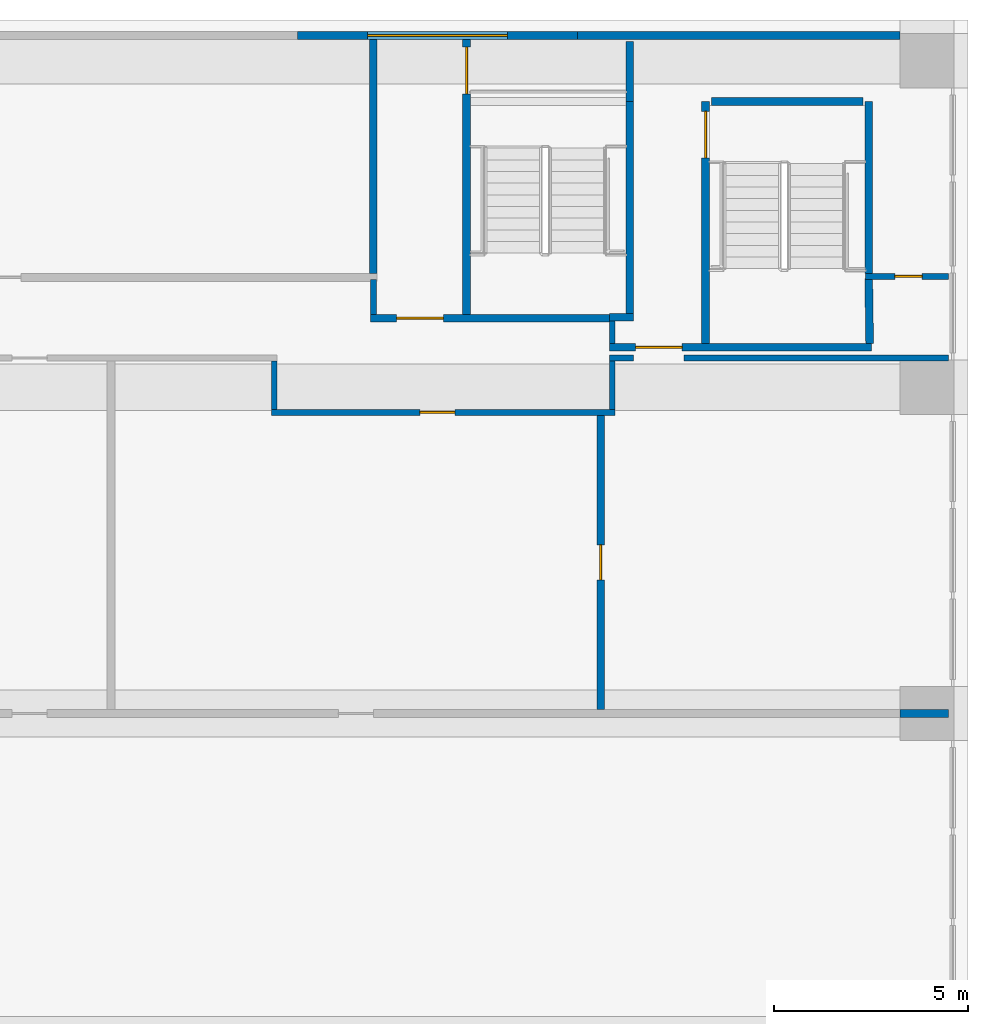
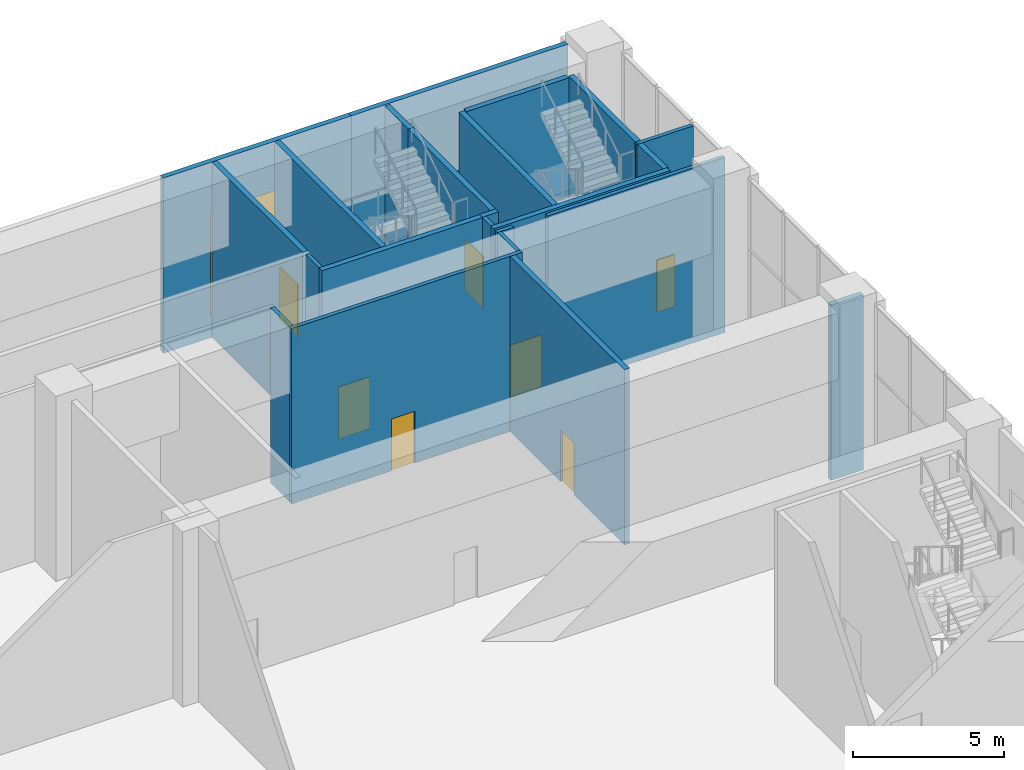
# One storey, part 14 of 29: 23 walls, 7 doors, 1 window, 8 openings.
"""IFC4 building model written with IfcOpenShell, lengths in metres."""

from ifc_helpers import new_model, si_unit, direction, frame, frame_2d, origin, place, context, subcontext, project, spatial, rectangle, extrude, material, layer, layer_set, type_object, element, fill, save


model = new_model("IFC4")

# Units and contexts
model_context = context("Model", 3, precision=1e-05, world=origin(), true_north=direction((0.0, 1.0)))
body_context = subcontext(model_context, "Body", "Model", "MODEL_VIEW")
ifc_project = project(units=[si_unit("LENGTHUNIT", "METRE"), si_unit("AREAUNIT", "SQUARE_METRE"), si_unit("VOLUMEUNIT", "CUBIC_METRE"), si_unit("PLANEANGLEUNIT", "RADIAN"), si_unit("MASSUNIT", "GRAM", prefix="KILO")], contexts=[model_context])

# Site, building, storey
site_placement = place(None, origin())
site = spatial("IfcSite", under=ifc_project, at=site_placement, CompositionType="ELEMENT")
building_placement = place(site_placement, origin())
building = spatial("IfcBuilding", under=site, at=building_placement, Name="Vermilion Ogive Tower", CompositionType="ELEMENT")
storey_placement = place(building_placement, frame((0.0, 0.0, 12.5)))
storey = spatial("IfcBuildingStorey", under=building, at=storey_placement, Name="L02", CompositionType="ELEMENT", Elevation=12.5)

# Wall, opening, door
ifc_material_1 = material(Name="Gypsum board partition on steel studs", Category="steel")
ifc_layer_1 = layer(ifc_material_1, 0.14990234375)
ifc_layer_set_1 = layer_set([ifc_layer_1], Name="Partition 150 corridor")
wall_type_1 = type_object("IfcWallType", Name="Partition 150 corridor", PredefinedType="PARTITIONING", material=ifc_layer_set_1)
wall_1_placement = place(storey_placement, frame((33.52490234375, 20.35009765625, 0.0), z_axis=(0.0, 0.0, 1.0), x_axis=(1.0, 0.0, 0.0)))
wall_1 = element("IfcWall", 1, at=wall_1_placement, inside=storey, type_object=wall_type_1, Name="L02-FS-W-W028", PredefinedType="PARTITIONING", context=body_context, shape_type="SweptSolid", body=[
    extrude(rectangle(XDim=8.85009765625, YDim=0.14990234375, at=frame_2d((4.425048828125, 0.0))), origin(), (0.0, 0.0, 1.0), 7.10009765625),
])
opening_1_placement = place(wall_1_placement, frame((3.8251953125, 0.0, 0.0)))
opening_1 = element("IfcOpeningElement", 2, at=opening_1_placement, cuts=wall_1, Name="Opening L02S034", PredefinedType="OPENING", context=body_context, shape_type="SweptSolid", body=[
    extrude(rectangle(XDim=0.89990234375, YDim=2.10009765625, at=frame_2d((0.449951171875, 1.050048828125))), frame((0.0, 0.0849609375, 0.0), z_axis=(0.0, -1.0, 0.0), x_axis=(1.0, 0.0, 0.0)), (0.0, 0.0, 1.0), 0.169921875),
])
ifc_material_2 = material(Name="Timber door leaf", Category="wood")
door_type_1 = type_object("IfcDoorType", Name="Room door 900 x 2100 FD30", OperationType="SINGLE_SWING_LEFT", PredefinedType="DOOR", material=ifc_material_2)
door_1_placement = place(opening_1_placement, origin())
door_1 = element("IfcDoor", 3, at=door_1_placement, inside=storey, type_object=door_type_1, Name="L02-FS-D-D034", OperationType="SINGLE_SWING_RIGHT", OverallHeight=2.10009765625, OverallWidth=0.89990234375, PredefinedType="DOOR", context=body_context, shape_type="SweptSolid", body=[
    extrude(rectangle(XDim=0.89990234375, YDim=2.10009765625, at=frame_2d((0.449951171875, 1.050048828125))), frame((0.0, 0.02490234375, 0.0), z_axis=(0.0, -1.0, 0.0), x_axis=(1.0, 0.0, 0.0)), (0.0, 0.0, 1.0), 0.050048828125),
])
fill(opening_1, door_1)

# Wall
wall_2_placement = place(storey_placement, frame((42.22509765625, 21.75, 0.0), z_axis=(0.0, 0.0, 1.0), x_axis=(1.0, 0.0, 0.0)))
element("IfcWall", 4, at=wall_2_placement, inside=storey, type_object=wall_type_1, Name="L02-FS-W-W031", PredefinedType="PARTITIONING", context=body_context, shape_type="SweptSolid", body=[
    extrude(rectangle(XDim=0.624755859375, YDim=0.14990234375, at=frame_2d((0.3125, 0.0))), origin(), (0.0, 0.0, 1.0), 7.10009765625),
])

# Wall, opening, door
wall_3_placement = place(storey_placement, frame((48.8125, 23.85009765625, 0.0), z_axis=(0.0, 0.0, 1.0), x_axis=(1.0, 0.0, 0.0)))
wall_3 = element("IfcWall", 5, at=wall_3_placement, inside=storey, type_object=wall_type_1, Name="L02-FS-W-W038", PredefinedType="PARTITIONING", context=body_context, shape_type="SweptSolid", body=[
    extrude(rectangle(XDim=2.137451171875, YDim=0.14990234375, at=frame_2d((1.06884765625, 0.0))), origin(), (0.0, 0.0, 1.0), 7.10009765625),
])
opening_2_placement = place(wall_3_placement, frame((0.762451171875, 0.0, 0.0)))
opening_2 = element("IfcOpeningElement", 6, at=opening_2_placement, cuts=wall_3, Name="Opening L02S051", PredefinedType="OPENING", context=body_context, shape_type="SweptSolid", body=[
    extrude(rectangle(XDim=0.699951171875, YDim=2.10009765625, at=frame_2d((0.35009765625, 1.050048828125))), frame((0.0, 0.0849609375, 0.0), z_axis=(0.0, -1.0, 0.0), x_axis=(1.0, 0.0, 0.0)), (0.0, 0.0, 1.0), 0.169921875),
])
ifc_material_3 = material(Name="Timber door leaf", Category="wood")
door_type_2 = type_object("IfcDoorType", Name="Room door 700 x 2100 FD30", OperationType="SINGLE_SWING_LEFT", PredefinedType="DOOR", material=ifc_material_3)
door_2_placement = place(opening_2_placement, origin())
door_2 = element("IfcDoor", 7, at=door_2_placement, inside=storey, type_object=door_type_2, Name="L02-FS-D-D051", OperationType="SINGLE_SWING_RIGHT", OverallHeight=2.10009765625, OverallWidth=0.699951171875, PredefinedType="DOOR", context=body_context, shape_type="SweptSolid", body=[
    extrude(rectangle(XDim=0.699951171875, YDim=2.10009765625, at=frame_2d((0.35009765625, 1.050048828125))), frame((0.0, 0.02490234375, 0.0), z_axis=(0.0, -1.0, 0.0), x_axis=(1.0, 0.0, 0.0)), (0.0, 0.0, 1.0), 0.050048828125),
])
fill(opening_2, door_2)

# Walls
wall_4_placement = place(storey_placement, frame((33.60009765625, 20.425048828125, 0.0), z_axis=(0.0, 0.0, 1.0), x_axis=(0.0, 1.0, 0.0)))
element("IfcWall", 8, at=wall_4_placement, inside=storey, type_object=wall_type_1, Name="L02-FS-W-W078", PredefinedType="PARTITIONING", context=body_context, shape_type="SweptSolid", body=[
    extrude(rectangle(XDim=1.25, YDim=0.14990234375, at=frame_2d((0.625, 0.0))), origin(), (0.0, 0.0, 1.0), 7.10009765625),
])
wall_5_placement = place(storey_placement, frame((36.14990234375, 22.875, 0.0), z_axis=(0.0, 0.0, 1.0), x_axis=(0.0, 1.0, 0.0)))
element("IfcWall", 9, at=wall_5_placement, inside=storey, type_object=wall_type_1, Name="L02-FS-W-W081", PredefinedType="PARTITIONING", context=body_context, shape_type="SweptSolid", body=[
    extrude(rectangle(XDim=0.89990234375, YDim=0.14990234375, at=frame_2d((0.449951171875, 0.0))), origin(), (0.0, 0.0, 1.0), 7.10009765625),
])
wall_6_placement = place(storey_placement, frame((42.300048828125, 20.425048828125, 0.0), z_axis=(0.0, 0.0, 1.0), x_axis=(0.0, 1.0, 0.0)))
element("IfcWall", 10, at=wall_6_placement, inside=storey, type_object=wall_type_1, Name="L02-FS-W-W089", PredefinedType="PARTITIONING", context=body_context, shape_type="SweptSolid", body=[
    extrude(rectangle(XDim=1.25, YDim=0.14990234375, at=frame_2d((0.625, 0.0))), origin(), (0.0, 0.0, 1.0), 7.10009765625),
])
wall_7_placement = place(storey_placement, frame((42.300048828125, 22.125, 0.0), z_axis=(0.0, 0.0, 1.0), x_axis=(0.0, 1.0, 0.0)))
element("IfcWall", 11, at=wall_7_placement, inside=storey, type_object=wall_type_1, Name="L02-FS-W-W090", PredefinedType="PARTITIONING", context=body_context, shape_type="SweptSolid", body=[
    extrude(rectangle(XDim=0.574951171875, YDim=0.14990234375, at=frame_2d((0.28759765625, 0.0))), origin(), (0.0, 0.0, 1.0), 7.10009765625),
])
wall_8_placement = place(storey_placement, frame((44.14990234375, 21.75, 0.0), z_axis=(0.0, 0.0, 1.0), x_axis=(1.0, 0.0, 0.0)))
element("IfcWall", 12, at=wall_8_placement, inside=storey, type_object=wall_type_1, Name="L02-FS-W-W031-DO", PredefinedType="PARTITIONING", context=body_context, shape_type="SweptSolid", body=[
    extrude(rectangle(XDim=6.800048828125, YDim=0.14990234375, at=frame_2d((3.39990234375, 0.0))), origin(), (0.0, 0.0, 1.0), 7.10009765625),
])
ifc_material_4 = material(Name="Gypsum board partition on steel studs", Category="steel")
ifc_layer_2 = layer(ifc_material_4, 0.199951171875)
ifc_layer_set_2 = layer_set([ifc_layer_2], Name="Partition 200 party")
wall_type_2 = type_object("IfcWallType", Name="Partition 200 party", PredefinedType="PARTITIONING", material=ifc_layer_set_2)
wall_9_placement = place(storey_placement, frame((36.14990234375, 23.925048828125, 0.0), z_axis=(0.0, 0.0, 1.0), x_axis=(0.0, 1.0, 0.0)))
element("IfcWall", 13, at=wall_9_placement, inside=storey, type_object=wall_type_2, Name="L02-FS-W-W082", PredefinedType="PARTITIONING", context=body_context, shape_type="SweptSolid", body=[
    extrude(rectangle(XDim=6.02490234375, YDim=0.199951171875, at=frame_2d((3.012451171875, 0.0))), origin(), (0.0, 0.0, 1.0), 7.10009765625),
])

# Wall, opening, door
wall_10_placement = place(storey_placement, frame((42.0, 12.699951171875, 0.0), z_axis=(0.0, 0.0, 1.0), x_axis=(0.0, 1.0, 0.0)))
wall_10 = element("IfcWall", 14, at=wall_10_placement, inside=storey, type_object=wall_type_2, Name="L02-FS-W-W086", PredefinedType="PARTITIONING", context=body_context, shape_type="SweptSolid", body=[
    extrude(rectangle(XDim=7.574951171875, YDim=0.199951171875, at=frame_2d((3.78759765625, 0.0))), origin(), (0.0, 0.0, 1.0), 7.10009765625),
])
opening_3_placement = place(wall_10_placement, frame((3.33740234375, 0.0, 0.0)))
opening_3 = element("IfcOpeningElement", 15, at=opening_3_placement, cuts=wall_10, Name="Opening L02S035", PredefinedType="OPENING", context=body_context, shape_type="SweptSolid", body=[
    extrude(rectangle(XDim=0.89990234375, YDim=2.10009765625, at=frame_2d((0.449951171875, 1.050048828125))), frame((0.0, 0.10986328125, 0.0), z_axis=(0.0, -1.0, 0.0), x_axis=(1.0, 0.0, 0.0)), (0.0, 0.0, 1.0), 0.219970703125),
])
door_3_placement = place(opening_3_placement, origin())
door_3 = element("IfcDoor", 16, at=door_3_placement, inside=storey, type_object=door_type_1, Name="L02-FS-D-D035", OperationType="SINGLE_SWING_RIGHT", OverallHeight=2.10009765625, OverallWidth=0.89990234375, PredefinedType="DOOR", context=body_context, shape_type="SweptSolid", body=[
    extrude(rectangle(XDim=0.89990234375, YDim=2.10009765625, at=frame_2d((0.449951171875, 1.050048828125))), frame((0.0, 0.02490234375, 0.0), z_axis=(0.0, -1.0, 0.0), x_axis=(1.0, 0.0, 0.0)), (0.0, 0.0, 1.0), 0.050048828125),
])
fill(opening_3, door_3)

# Wall
wall_11_placement = place(storey_placement, frame((49.699951171875, 12.60009765625, 0.0), z_axis=(0.0, 0.0, 1.0), x_axis=(1.0, 0.0, 0.0)))
element("IfcWall", 17, at=wall_11_placement, inside=storey, type_object=wall_type_2, Name="L02-FS-W-W026-h2", PredefinedType="PARTITIONING", context=body_context, shape_type="SweptSolid", body=[
    extrude(rectangle(XDim=1.25, YDim=0.199951171875, at=frame_2d((0.625, 0.0))), origin(), (0.0, 0.0, 1.0), 7.10009765625),
])

# Wall, opening, door
ifc_material_5 = material(Name="Concrete B60", Category="concrete")
ifc_layer_3 = layer(ifc_material_5, 0.199951171875)
ifc_layer_set_3 = layer_set([ifc_layer_3], Name="Stair shaft wall 200 Concrete B60")
wall_type_3 = type_object("IfcWallType", Name="Stair shaft wall 200 Concrete B60", PredefinedType="SOLIDWALL", material=ifc_layer_set_3)
wall_12_placement = place(storey_placement, frame((42.22509765625, 22.025146484375, 0.0), z_axis=(0.0, 0.0, 1.0), x_axis=(1.0, 0.0, 0.0)))
wall_12 = element("IfcWall", 18, at=wall_12_placement, inside=storey, type_object=wall_type_3, Name="L02-FS-W-W032", PredefinedType="SOLIDWALL", context=body_context, shape_type="SweptSolid", body=[
    extrude(rectangle(XDim=6.75, YDim=0.199951171875, at=frame_2d((3.375, 0.0))), origin(), (0.0, 0.0, 1.0), 7.10009765625),
])
opening_4_placement = place(wall_12_placement, frame((0.6748046875, 0.0, 0.0)))
opening_4 = element("IfcOpeningElement", 19, at=opening_4_placement, cuts=wall_12, Name="Opening L02S016", PredefinedType="OPENING", context=body_context, shape_type="SweptSolid", body=[
    extrude(rectangle(XDim=1.199951171875, YDim=2.10009765625, at=frame_2d((0.60009765625, 1.050048828125))), frame((0.0, 0.10986328125, 0.0), z_axis=(0.0, -1.0, 0.0), x_axis=(1.0, 0.0, 0.0)), (0.0, 0.0, 1.0), 0.219970703125),
])
ifc_material_6 = material(Name="Timber door leaf", Category="wood")
door_type_3 = type_object("IfcDoorType", Name="Stair door 1200 x 2100 FD60S", OperationType="SINGLE_SWING_LEFT", PredefinedType="DOOR", material=ifc_material_6)
door_4_placement = place(opening_4_placement, origin())
door_4 = element("IfcDoor", 20, at=door_4_placement, inside=storey, type_object=door_type_3, Name="L02-FS-D-D016", OperationType="SINGLE_SWING_LEFT", OverallHeight=2.10009765625, OverallWidth=1.199951171875, PredefinedType="DOOR", context=body_context, shape_type="SweptSolid", body=[
    extrude(rectangle(XDim=1.199951171875, YDim=2.10009765625, at=frame_2d((0.60009765625, 1.050048828125))), frame((0.0, 0.02490234375, 0.0), z_axis=(0.0, -1.0, 0.0), x_axis=(1.0, 0.0, 0.0)), (0.0, 0.0, 1.0), 0.050048828125),
])
fill(opening_4, door_4)

wall_13_placement = place(storey_placement, frame((36.074951171875, 22.775146484375, 0.0), z_axis=(0.0, 0.0, 1.0), x_axis=(1.0, 0.0, 0.0)))
wall_13 = element("IfcWall", 21, at=wall_13_placement, inside=storey, type_object=wall_type_3, Name="L02-FS-W-W033", PredefinedType="SOLIDWALL", context=body_context, shape_type="SweptSolid", body=[
    extrude(rectangle(XDim=6.300048828125, YDim=0.199951171875, at=frame_2d((3.14990234375, 0.0))), origin(), (0.0, 0.0, 1.0), 7.10009765625),
])
opening_5_placement = place(wall_13_placement, frame((0.675048828125, 0.0, 0.0)))
opening_5 = element("IfcOpeningElement", 22, at=opening_5_placement, cuts=wall_13, Name="Opening L02S011", PredefinedType="OPENING", context=body_context, shape_type="SweptSolid", body=[
    extrude(rectangle(XDim=1.199951171875, YDim=2.10009765625, at=frame_2d((0.60009765625, 1.050048828125))), frame((0.0, 0.10986328125, 0.0), z_axis=(0.0, -1.0, 0.0), x_axis=(1.0, 0.0, 0.0)), (0.0, 0.0, 1.0), 0.219970703125),
])
door_5_placement = place(opening_5_placement, origin())
door_5 = element("IfcDoor", 23, at=door_5_placement, inside=storey, type_object=door_type_3, Name="L02-FS-D-D011", OperationType="SINGLE_SWING_LEFT", OverallHeight=2.10009765625, OverallWidth=1.199951171875, PredefinedType="DOOR", context=body_context, shape_type="SweptSolid", body=[
    extrude(rectangle(XDim=1.199951171875, YDim=2.10009765625, at=frame_2d((0.60009765625, 1.050048828125))), frame((0.0, 0.02490234375, 0.0), z_axis=(0.0, -1.0, 0.0), x_axis=(1.0, 0.0, 0.0)), (0.0, 0.0, 1.0), 0.050048828125),
])
fill(opening_5, door_5)

# Wall
wall_14_placement = place(storey_placement, frame((42.22509765625, 22.800048828125, 0.0), z_axis=(0.0, 0.0, 1.0), x_axis=(1.0, 0.0, 0.0)))
element("IfcWall", 24, at=wall_14_placement, inside=storey, type_object=wall_type_3, Name="L02-FS-W-W034", PredefinedType="SOLIDWALL", context=body_context, shape_type="SweptSolid", body=[
    extrude(rectangle(XDim=0.625, YDim=0.199951171875, at=frame_2d((0.3125, 0.0))), origin(), (0.0, 0.0, 1.0), 7.10009765625),
])

# Wall, opening, door
wall_15_placement = place(storey_placement, frame((38.550048828125, 22.875, 0.0), z_axis=(0.0, 0.0, 1.0), x_axis=(0.0, 1.0, 0.0)))
wall_15 = element("IfcWall", 25, at=wall_15_placement, inside=storey, type_object=wall_type_3, Name="L02-FS-W-W084", PredefinedType="SOLIDWALL", context=body_context, shape_type="SweptSolid", body=[
    extrude(rectangle(XDim=7.074951171875, YDim=0.199951171875, at=frame_2d((3.53759765625, 0.0))), origin(), (0.0, 0.0, 1.0), 7.10009765625),
])
opening_6_placement = place(wall_15_placement, frame((5.675048828125, 0.0, 0.0)))
opening_6 = element("IfcOpeningElement", 26, at=opening_6_placement, cuts=wall_15, Name="Opening L02S002", PredefinedType="OPENING", context=body_context, shape_type="SweptSolid", body=[
    extrude(rectangle(XDim=1.199951171875, YDim=2.10009765625, at=frame_2d((0.60009765625, 1.050048828125))), frame((0.0, 0.10986328125, 0.0), z_axis=(0.0, -1.0, 0.0), x_axis=(1.0, 0.0, 0.0)), (0.0, 0.0, 1.0), 0.219970703125),
])
door_6_placement = place(opening_6_placement, origin())
door_6 = element("IfcDoor", 27, at=door_6_placement, inside=storey, type_object=door_type_3, Name="L02-FS-D-D002", OperationType="DOUBLE_DOOR_SINGLE_SWING", OverallHeight=2.10009765625, OverallWidth=1.199951171875, PredefinedType="DOOR", context=body_context, shape_type="SweptSolid", body=[
    extrude(rectangle(XDim=1.199951171875, YDim=2.10009765625, at=frame_2d((0.60009765625, 1.050048828125))), frame((0.0, 0.02490234375, 0.0), z_axis=(0.0, -1.0, 0.0), x_axis=(1.0, 0.0, 0.0)), (0.0, 0.0, 1.0), 0.050048828125),
])
fill(opening_6, door_6)

# Wall
wall_16_placement = place(storey_placement, frame((42.75, 22.89990234375, 0.0), z_axis=(0.0, 0.0, 1.0), x_axis=(0.0, 1.0, 0.0)))
element("IfcWall", 28, at=wall_16_placement, inside=storey, type_object=wall_type_3, Name="L02-FS-W-W093", PredefinedType="SOLIDWALL", context=body_context, shape_type="SweptSolid", body=[
    extrude(rectangle(XDim=5.4501953125, YDim=0.199951171875, at=frame_2d((2.72509765625, 0.0))), origin(), (0.0, 0.0, 1.0), 7.10009765625),
])

# Wall, opening, door
wall_17_placement = place(storey_placement, frame((44.699951171875, 22.125, 0.0), z_axis=(0.0, 0.0, 1.0), x_axis=(0.0, 1.0, 0.0)))
wall_17 = element("IfcWall", 29, at=wall_17_placement, inside=storey, type_object=wall_type_3, Name="L02-FS-W-W097", PredefinedType="SOLIDWALL", context=body_context, shape_type="SweptSolid", body=[
    extrude(rectangle(XDim=6.22509765625, YDim=0.199951171875, at=frame_2d((3.112548828125, 0.0))), origin(), (0.0, 0.0, 1.0), 7.10009765625),
])
opening_7_placement = place(wall_17_placement, frame((4.77490234375, 0.0, 0.0)))
opening_7 = element("IfcOpeningElement", 30, at=opening_7_placement, cuts=wall_17, Name="Opening L02S007", PredefinedType="OPENING", context=body_context, shape_type="SweptSolid", body=[
    extrude(rectangle(XDim=1.199951171875, YDim=2.10009765625, at=frame_2d((0.60009765625, 1.050048828125))), frame((0.0, 0.10986328125, 0.0), z_axis=(0.0, -1.0, 0.0), x_axis=(1.0, 0.0, 0.0)), (0.0, 0.0, 1.0), 0.219970703125),
])
door_7_placement = place(opening_7_placement, origin())
door_7 = element("IfcDoor", 31, at=door_7_placement, inside=storey, type_object=door_type_3, Name="L02-FS-D-D007", OperationType="DOUBLE_DOOR_SINGLE_SWING", OverallHeight=2.10009765625, OverallWidth=1.199951171875, PredefinedType="DOOR", context=body_context, shape_type="SweptSolid", body=[
    extrude(rectangle(XDim=1.199951171875, YDim=2.10009765625, at=frame_2d((0.60009765625, 1.050048828125))), frame((0.0, 0.02490234375, 0.0), z_axis=(0.0, -1.0, 0.0), x_axis=(1.0, 0.0, 0.0)), (0.0, 0.0, 1.0), 0.050048828125),
])
fill(opening_7, door_7)

# Walls
wall_18_placement = place(storey_placement, frame((48.9248046875, 22.125, 0.0), z_axis=(0.0, 0.0, 1.0), x_axis=(-0.014867161329, 0.999889477649, 0.0)))
element("IfcWall", 32, at=wall_18_placement, inside=storey, type_object=wall_type_3, Name="L02-FS-W-W100", PredefinedType="SOLIDWALL", context=body_context, shape_type="SweptSolid", body=[
    extrude(rectangle(XDim=1.675048828125, YDim=0.199951171875, at=frame_2d((0.83740234375, 0.0))), origin(), (0.0, 0.0, 1.0), 7.10009765625),
])
wall_19_placement = place(storey_placement, frame((48.89990234375, 23.925048828125, 0.0), z_axis=(0.0, 0.0, 1.0), x_axis=(0.0, 1.0, 0.0)))
element("IfcWall", 33, at=wall_19_placement, inside=storey, type_object=wall_type_3, Name="L02-FS-W-W101", PredefinedType="SOLIDWALL", context=body_context, shape_type="SweptSolid", body=[
    extrude(rectangle(XDim=4.425048828125, YDim=0.199951171875, at=frame_2d((2.21240234375, 0.0))), origin(), (0.0, 0.0, 1.0), 7.10009765625),
])
wall_20_placement = place(storey_placement, frame((41.39990234375, 30.050048828125, 0.0), z_axis=(0.0, 0.0, 1.0), x_axis=(1.0, 0.0, 0.0)))
element("IfcWall", 34, at=wall_20_placement, inside=storey, type_object=wall_type_3, Name="Window wall N1", PredefinedType="SOLIDWALL", context=body_context, shape_type="SweptSolid", body=[
    extrude(rectangle(XDim=8.300048828125, YDim=0.199951171875, at=frame_2d((4.14990234375, 0.0))), origin(), (0.0, 0.0, 1.0), 7.10009765625),
])
wall_21_placement = place(storey_placement, frame((42.75, 28.35009765625, 0.0), z_axis=(0.0, 0.0, 1.0), x_axis=(0.0, 1.0, 0.0)))
element("IfcWall", 35, at=wall_21_placement, inside=storey, type_object=wall_type_3, Name="L02-SW-R003-E1", PredefinedType="SOLIDWALL", context=body_context, shape_type="SweptSolid", body=[
    extrude(rectangle(XDim=1.5498046875, YDim=0.199951171875, at=frame_2d((0.77490234375, 0.0))), origin(), (0.0, 0.0, 1.0), 7.10009765625),
])
wall_22_placement = place(storey_placement, frame((44.85009765625, 28.35009765625, 0.0), z_axis=(0.0, 0.0, 1.0), x_axis=(1.0, 0.0, 0.0)))
element("IfcWall", 36, at=wall_22_placement, inside=storey, type_object=wall_type_3, Name="L02-SW-R013-N1", PredefinedType="SOLIDWALL", context=body_context, shape_type="SweptSolid", body=[
    extrude(rectangle(XDim=3.89990234375, YDim=0.199951171875, at=frame_2d((1.949951171875, 0.0))), origin(), (0.0, 0.0, 1.0), 7.10009765625),
])

# Wall, opening, window
wall_23_placement = place(storey_placement, frame((34.199951171875, 30.050048828125, 0.0), z_axis=(0.0, 0.0, 1.0), x_axis=(1.0, 0.0, 0.0)))
wall_23 = element("IfcWall", 37, at=wall_23_placement, inside=storey, type_object=wall_type_3, Name="env/L02/N/w0-B", PredefinedType="SOLIDWALL", context=body_context, shape_type="SweptSolid", body=[
    extrude(rectangle(XDim=7.199951171875, YDim=0.199951171875, at=frame_2d((3.60009765625, 0.0))), origin(), (0.0, 0.0, 1.0), 7.10009765625),
])
opening_8_placement = place(wall_23_placement, frame((1.800048828125, 0.0, 0.89990234375)))
opening_8 = element("IfcOpeningElement", 38, at=opening_8_placement, cuts=wall_23, Name="Opening P-N1", PredefinedType="OPENING", context=body_context, shape_type="SweptSolid", body=[
    extrude(rectangle(XDim=3.60009765625, YDim=4.199951171875, at=frame_2d((1.800048828125, 2.10009765625))), frame((0.0, 0.10986328125, 0.0), z_axis=(0.0, -1.0, 0.0), x_axis=(1.0, 0.0, 0.0)), (0.0, 0.0, 1.0), 0.219970703125),
])
ifc_material_7 = material(Name="Aluminium framed double glazing", Category="aluminium")
window_type = type_object("IfcWindowType", Name="Podium window P 3600x4200 sill 900", PartitioningType="SINGLE_PANEL", PredefinedType="WINDOW", material=ifc_material_7)
window_placement = place(opening_8_placement, origin())
window = element("IfcWindow", 39, at=window_placement, inside=storey, type_object=window_type, Name="Window N1", OverallHeight=4.199951171875, OverallWidth=3.60009765625, PartitioningType="SINGLE_PANEL", PredefinedType="WINDOW", context=body_context, shape_type="SweptSolid", body=[
    extrude(rectangle(XDim=3.60009765625, YDim=4.199951171875, at=frame_2d((1.800048828125, 2.10009765625))), frame((0.0, 0.030029296875, 0.0), z_axis=(0.0, -1.0, 0.0), x_axis=(1.0, 0.0, 0.0)), (0.0, 0.0, 1.0), 0.06005859375),
])
fill(opening_8, window)

save(model, "model.ifc")
